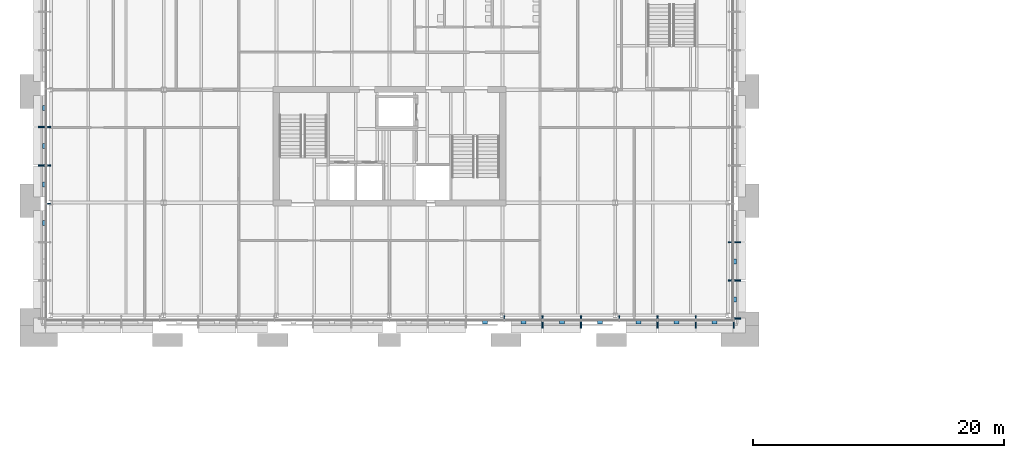
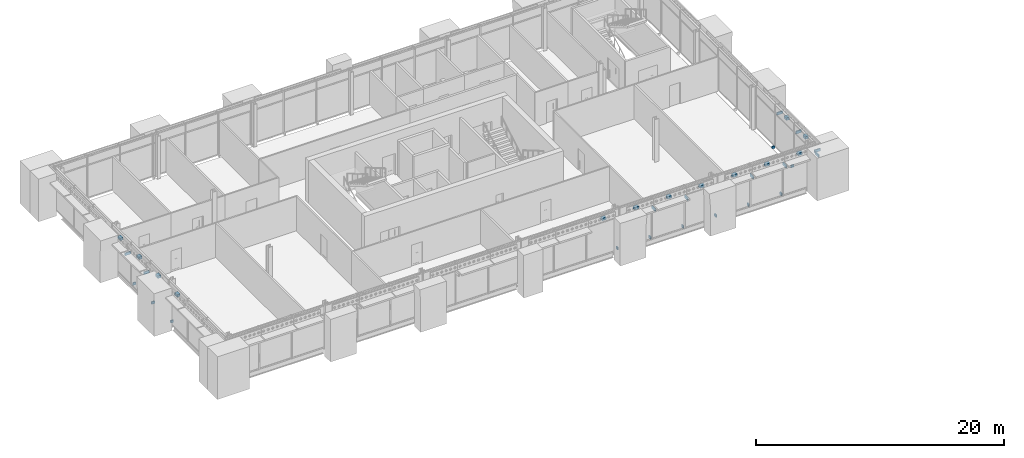
# One storey, part 27 of 37: 34 discrete accessories.
"""IFC4 building model written with IfcOpenShell, lengths in metres."""

from ifc_helpers import new_model, si_unit, direction, frame, origin, origin_2d, place, context, subcontext, project, spatial, rectangle, extrude, material, type_object, element, save


model = new_model("IFC4")

# Units and contexts
model_context = context("Model", 3, precision=1e-05, world=origin(), true_north=direction((0.0, 1.0)))
body_context = subcontext(model_context, "Body", "Model", "MODEL_VIEW")
ifc_project = project(units=[si_unit("LENGTHUNIT", "METRE"), si_unit("AREAUNIT", "SQUARE_METRE"), si_unit("VOLUMEUNIT", "CUBIC_METRE"), si_unit("PLANEANGLEUNIT", "RADIAN"), si_unit("MASSUNIT", "GRAM", prefix="KILO")], contexts=[model_context])

# Site, building, storey
site_placement = place(None, origin())
site = spatial("IfcSite", under=ifc_project, at=site_placement, CompositionType="ELEMENT")
building_placement = place(site_placement, origin())
building = spatial("IfcBuilding", under=site, at=building_placement, Name="Baradari Gate Terminus", CompositionType="ELEMENT")
storey_placement = place(building_placement, frame((0.0, 0.0, 24.300048828125)))
storey = spatial("IfcBuildingStorey", under=building, at=storey_placement, Name="L05", CompositionType="ELEMENT", Elevation=24.300048828125)

# Discrete accessories
ifc_material_1 = material(Name="Steel S275", Category="steel")
discrete_accessory_type_1 = type_object("IfcDiscreteAccessoryType", Name="Chhajja bracket BK-3 galvanised steel", PredefinedType="BRACKET", material=ifc_material_1)
for number, where, z_axis, x_axis, name in (
    (1, (48.208984375, 116.260009765625, 3.08251953125), (0.0, 0.0, 1.0), (0.0, -1.0, 0.0), "Chhajja bracket BK-3 L05/TS mullion 14"),
    (2, (51.26123046875, 116.260009765625, 3.08251953125), (0.0, 0.0, 1.0), (0.0, -1.0, 0.0), "Chhajja bracket BK-3 L05/TS mullion 15"),
    (3, (57.365478515625, 116.260009765625, 3.08251953125), (0.0, 0.0, 1.0), (0.0, -1.0, 0.0), "Chhajja bracket BK-3 L05/TS mullion 17"),
    (4, (60.417724609375, 116.260009765625, 3.08251953125), (0.0, 0.0, 1.0), (0.0, -1.0, 0.0), "Chhajja bracket BK-3 L05/TS mullion 18"),
    (5, (63.4375, 116.260009765625, 3.08251953125), (0.0, 0.0, 1.0), (0.0, -1.0, 0.0), "Chhajja bracket BK-3 L05/TS mullion 19"),
    (6, (8.260009765625, 128.969970703125, 3.08251953125), (0.0, 0.0, 1.0), (-1.0, 0.0, 0.0), "Chhajja bracket BK-3 L05/TW mullion 5"),
    (7, (8.260009765625, 132.030029296875, 3.08251953125), (0.0, 0.0, 1.0), (-1.0, 0.0, 0.0), "Chhajja bracket BK-3 L05/TW mullion 6"),
    (8, (63.739990234375, 116.762451171875, 3.08251953125), (0.0, 0.0, 1.0), (1.0, 0.0, 0.0), "Chhajja bracket BK-3 L05/TE mullion 1"),
    (9, (63.739990234375, 119.7900390625, 3.08251953125), (0.0, 0.0, 1.0), (1.0, 0.0, 0.0), "Chhajja bracket BK-3 L05/TE mullion 2"),
    (10, (63.739990234375, 122.85009765625, 3.08251953125), (0.0, 0.0, 1.0), (1.0, 0.0, 0.0), "Chhajja bracket BK-3 L05/TE mullion 3"),
):
    element("IfcDiscreteAccessory", number, at=place(storey_placement, frame(where, z_axis=z_axis, x_axis=x_axis)), inside=storey, type_object=discrete_accessory_type_1, Name=name, PredefinedType="BRACKET", context=body_context, shape_type="SweptSolid", body=[
        extrude(rectangle(XDim=0.5400390625, YDim=0.10009765625, at=origin_2d()), origin(), (0.0, 0.0, 1.0), 0.25),
    ])
ifc_material_2 = material(Name="Aluminium 6063-T6", Category="aluminium")
discrete_accessory_type_2 = type_object("IfcDiscreteAccessoryType", Name="Curtain wall bracket BK-1 100x250", PredefinedType="BRACKET", material=ifc_material_2)
for number, where, z_axis, x_axis, name in (
    (11, (45.15673828125, 116.864990234375, -0.10009765625), (0.0, 0.0, 1.0), (0.0, -1.0, 0.0), "Curtain wall bracket BK-1 L05/TS mullion 13"),
    (12, (48.208984375, 116.864990234375, -0.10009765625), (0.0, 0.0, 1.0), (0.0, -1.0, 0.0), "Curtain wall bracket BK-1 L05/TS mullion 14"),
    (13, (51.26123046875, 116.864990234375, -0.10009765625), (0.0, 0.0, 1.0), (0.0, -1.0, 0.0), "Curtain wall bracket BK-1 L05/TS mullion 15"),
    (14, (54.313232421875, 116.864990234375, -0.10009765625), (0.0, 0.0, 1.0), (0.0, -1.0, 0.0), "Curtain wall bracket BK-1 L05/TS mullion 16"),
    (15, (57.365478515625, 116.864990234375, -0.10009765625), (0.0, 0.0, 1.0), (0.0, -1.0, 0.0), "Curtain wall bracket BK-1 L05/TS mullion 17"),
    (16, (60.417724609375, 116.864990234375, -0.10009765625), (0.0, 0.0, 1.0), (0.0, -1.0, 0.0), "Curtain wall bracket BK-1 L05/TS mullion 18"),
    (17, (8.864990234375, 125.909912109375, -0.10009765625), (0.0, 0.0, 1.0), (-1.0, 0.0, 0.0), "Curtain wall bracket BK-1 L05/TW mullion 4"),
    (18, (8.864990234375, 128.969970703125, -0.10009765625), (0.0, 0.0, 1.0), (-1.0, 0.0, 0.0), "Curtain wall bracket BK-1 L05/TW mullion 5"),
    (19, (8.864990234375, 132.030029296875, -0.10009765625), (0.0, 0.0, 1.0), (-1.0, 0.0, 0.0), "Curtain wall bracket BK-1 L05/TW mullion 6"),
    (20, (63.135009765625, 119.7900390625, -0.10009765625), (0.0, 0.0, 1.0), (1.0, 0.0, 0.0), "Curtain wall bracket BK-1 L05/TE mullion 2"),
    (21, (63.135009765625, 122.85009765625, -0.10009765625), (0.0, 0.0, 1.0), (1.0, 0.0, 0.0), "Curtain wall bracket BK-1 L05/TE mullion 3"),
):
    element("IfcDiscreteAccessory", number, at=place(storey_placement, frame(where, z_axis=z_axis, x_axis=x_axis)), inside=storey, type_object=discrete_accessory_type_2, Name=name, PredefinedType="BRACKET", context=body_context, shape_type="SweptSolid", body=[
        extrude(rectangle(XDim=0.27001953125, YDim=0.10009765625, at=origin_2d()), origin(), (0.0, 0.0, 1.0), 0.25),
    ])
ifc_material_3 = material(Name="Stainless steel 316", Category="steel")
discrete_accessory_type_3 = type_object("IfcDiscreteAccessoryType", Name="Jali screen bracket BK-2 stainless steel", PredefinedType="BRACKET", material=ifc_material_3)
for number, where, z_axis, x_axis, name in (
    (22, (43.630615234375, 116.472412109375, 3.608642578125), (0.0, 0.0, 1.0), (0.0, -1.0, 0.0), "Jali screen bracket BK-2 L05/TS bay 12"),
    (23, (46.682861328125, 116.472412109375, 3.608642578125), (0.0, 0.0, 1.0), (0.0, -1.0, 0.0), "Jali screen bracket BK-2 L05/TS bay 13"),
    (24, (49.735107421875, 116.472412109375, 3.608642578125), (0.0, 0.0, 1.0), (0.0, -1.0, 0.0), "Jali screen bracket BK-2 L05/TS bay 14"),
    (25, (52.787109375, 116.472412109375, 3.608642578125), (0.0, 0.0, 1.0), (0.0, -1.0, 0.0), "Jali screen bracket BK-2 L05/TS bay 15"),
    (26, (55.83935546875, 116.472412109375, 3.608642578125), (0.0, 0.0, 1.0), (0.0, -1.0, 0.0), "Jali screen bracket BK-2 L05/TS bay 16"),
    (27, (58.8916015625, 116.472412109375, 3.608642578125), (0.0, 0.0, 1.0), (0.0, -1.0, 0.0), "Jali screen bracket BK-2 L05/TS bay 17"),
    (28, (61.927734375, 116.472412109375, 3.608642578125), (0.0, 0.0, 1.0), (0.0, -1.0, 0.0), "Jali screen bracket BK-2 L05/TS bay 18"),
    (29, (8.472412109375, 124.3798828125, 3.608642578125), (0.0, 0.0, 1.0), (-1.0, 0.0, 0.0), "Jali screen bracket BK-2 L05/TW bay 3"),
    (30, (8.472412109375, 127.43994140625, 3.608642578125), (0.0, 0.0, 1.0), (-1.0, 0.0, 0.0), "Jali screen bracket BK-2 L05/TW bay 4"),
    (31, (8.472412109375, 130.5, 3.608642578125), (0.0, 0.0, 1.0), (-1.0, 0.0, 0.0), "Jali screen bracket BK-2 L05/TW bay 5"),
    (32, (8.472412109375, 133.56005859375, 3.608642578125), (0.0, 0.0, 1.0), (-1.0, 0.0, 0.0), "Jali screen bracket BK-2 L05/TW bay 6"),
    (33, (63.527587890625, 118.2763671875, 3.608642578125), (0.0, 0.0, 1.0), (1.0, 0.0, 0.0), "Jali screen bracket BK-2 L05/TE bay 1"),
    (34, (63.527587890625, 121.320068359375, 3.608642578125), (0.0, 0.0, 1.0), (1.0, 0.0, 0.0), "Jali screen bracket BK-2 L05/TE bay 2"),
):
    element("IfcDiscreteAccessory", number, at=place(storey_placement, frame(where, z_axis=z_axis, x_axis=x_axis)), inside=storey, type_object=discrete_accessory_type_3, Name=name, PredefinedType="BRACKET", context=body_context, shape_type="SweptSolid", body=[
        extrude(rectangle(XDim=0.284912109375, YDim=0.39990234375, at=origin_2d()), origin(), (0.0, 0.0, 1.0), 0.25),
    ])

save(model, "model.ifc")
